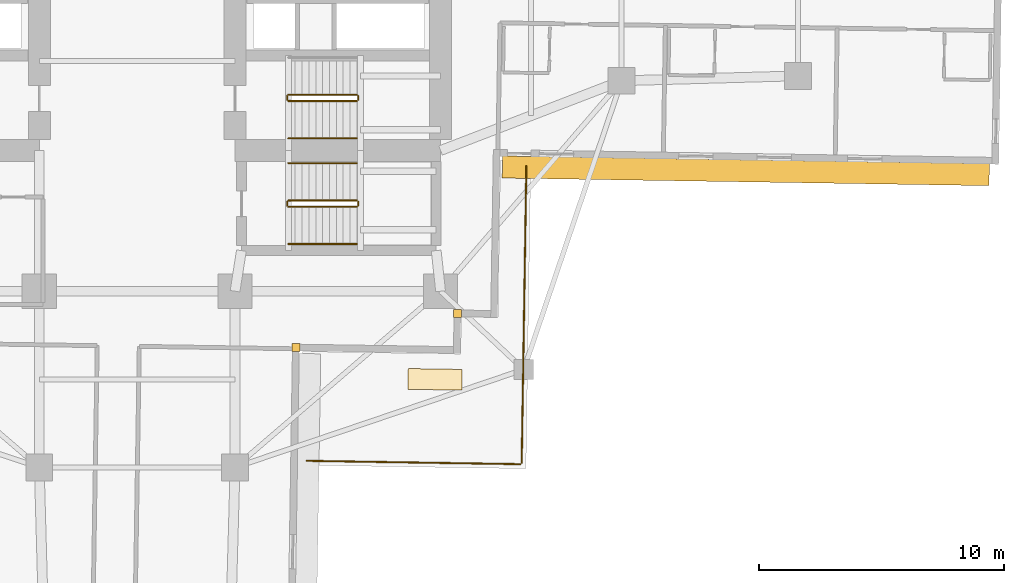
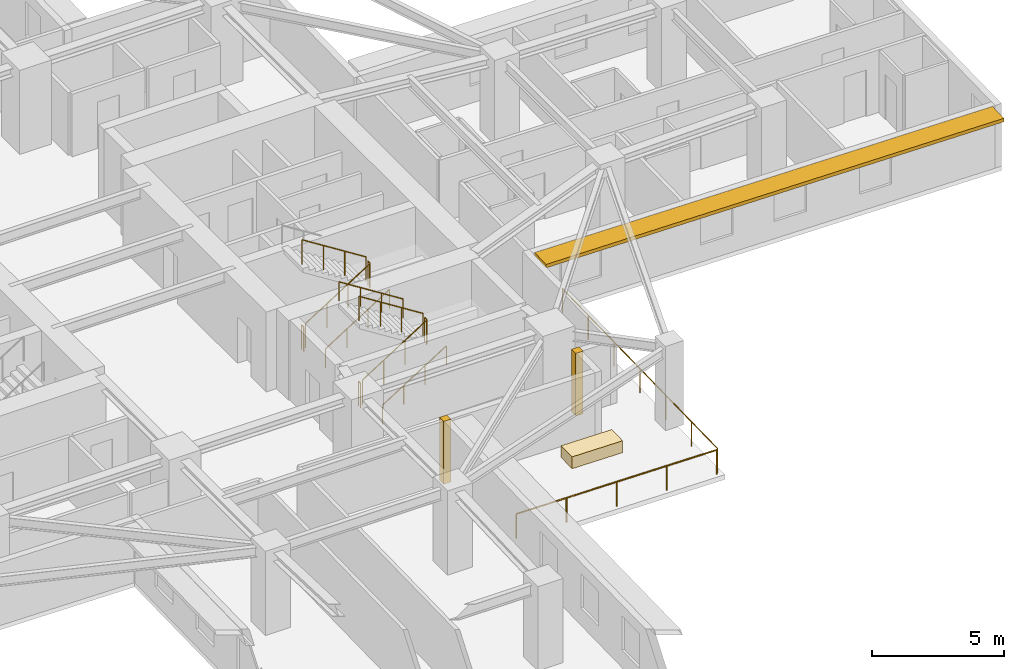
# One storey, part 11 of 13: 13 railings, 3 coverings, 1 shading device.
"""IFC4 building model written with IfcOpenShell, lengths in metres."""

import ifcopenshell
import ifcopenshell.guid

model = None  # the IFC model being written
_history = None  # IfcOwnerHistory: only IFC2X3 demands one
_inside = {}  # id of a spatial element -> (the spatial element, [elements in it])
_under = {}  # id of a project, library or spatial element -> (it, [spatial elements below it])
_declared = {}  # id of a project -> (the project, [libraries it declares])
_typed = {}  # id of a type object -> (the type object, [elements of that type])
_made_of = {}  # id of a material, layer set ... -> (it, [elements and type objects made of it])


def new_model(schema):
    """Start an empty IFC model of exactly this schema.

    Asked for "IFC4X3", IfcOpenShell would pick the latest addendum, in which some entities
    have other attributes; the version numbers below select the first issue.
    IFC2X3 requires an IfcOwnerHistory on every rooted entity: one is made here for all.
    """
    global model, _history
    if schema == "IFC4X3":
        model = ifcopenshell.file(schema_version=(4, 3, 0, 0))
    else:
        model = ifcopenshell.file(schema=schema)
    _inside.clear()
    _under.clear()
    _declared.clear()
    _typed.clear()
    _made_of.clear()
    _history = None
    if model.schema == "IFC2X3":
        org = make("IfcOrganization", Name="unknown")
        user = make(
            "IfcPersonAndOrganization",
            ThePerson=make("IfcPerson", FamilyName="unknown"),
            TheOrganization=org,
        )
        app = make(
            "IfcApplication",
            ApplicationDeveloper=org,
            Version="unknown",
            ApplicationFullName="unknown",
            ApplicationIdentifier="unknown",
        )
        _history = make(
            "IfcOwnerHistory",
            OwningUser=user,
            OwningApplication=app,
            ChangeAction="ADDED",
            CreationDate=0,
        )
    return model


def make(cls, **values):
    """One entity of the class cls with the attributes given. An attribute that is None is left unset."""
    return model.create_entity(
        cls, **{name: value for name, value in values.items() if value is not None}
    )


def rooted(cls, **values):
    """An entity with a GlobalId (a new one), such as an element, a storey or a relation."""
    return make(cls, GlobalId=ifcopenshell.guid.new(), OwnerHistory=_history, **values)


def si_unit(unit_type, name, prefix=None):
    """IfcSIUnit, for example si_unit("LENGTHUNIT", "METRE", prefix="MILLI")."""
    return make("IfcSIUnit", UnitType=unit_type, Prefix=prefix, Name=name)


def assignment(units):
    """IfcUnitAssignment: the units of a project."""
    return None if units is None else make("IfcUnitAssignment", Units=units)


def point(xyz):
    """IfcCartesianPoint."""
    return None if xyz is None else make("IfcCartesianPoint", Coordinates=xyz)


def direction(xyz):
    """IfcDirection."""
    return None if xyz is None else make("IfcDirection", DirectionRatios=xyz)


def frame(location, z_axis=None, x_axis=None):
    """IfcAxis2Placement3D, a coordinate frame: its origin and axes. An axis left out is left unset."""
    return make(
        "IfcAxis2Placement3D",
        Location=point(location),
        Axis=direction(z_axis),
        RefDirection=direction(x_axis),
    )


def frame_2d(location, x_axis=None):
    """IfcAxis2Placement2D, a coordinate frame in the plane: its origin and x axis."""
    return make(
        "IfcAxis2Placement2D", Location=point(location), RefDirection=direction(x_axis)
    )


def origin():
    """The frame at (0, 0, 0) with its axes left unset."""
    return frame((0.0, 0.0, 0.0))


def origin_2d():
    """The frame at (0, 0) in the plane with its x axis left unset."""
    return frame_2d((0.0, 0.0))


def place(relative_to, where):
    """IfcLocalPlacement: puts the frame where relative to a parent placement (None: the world)."""
    return make(
        "IfcLocalPlacement", PlacementRelTo=relative_to, RelativePlacement=where
    )


def context(
    kind, dimensions, precision=None, world=None, true_north=None, identifier=None
):
    """IfcGeometricRepresentationContext, for example the 3D "Model" context."""
    return make(
        "IfcGeometricRepresentationContext",
        ContextIdentifier=identifier,
        ContextType=kind,
        CoordinateSpaceDimension=dimensions,
        Precision=precision,
        WorldCoordinateSystem=world,
        TrueNorth=true_north,
    )


def subcontext(parent, identifier, kind, view, scale=None):
    """IfcGeometricRepresentationSubContext, for example "Body" below "Model"."""
    return make(
        "IfcGeometricRepresentationSubContext",
        ContextIdentifier=identifier,
        ContextType=kind,
        ParentContext=parent,
        TargetScale=scale,
        TargetView=view,
    )


def project(units=None, contexts=None):
    """IfcProject with its units and contexts."""
    return rooted(
        "IfcProject",
        Name="project",
        RepresentationContexts=contexts,
        UnitsInContext=assignment(units),
    )


def spatial(cls, under=None, at=None, **own):
    """A site, building, storey or space (cls), placed at a placement, below another one or the project."""
    s = rooted(cls, ObjectPlacement=at, **own)
    if under is not None:
        _under.setdefault(under.id(), (under, []))[1].append(s)
    return s


def profile(cls, at=None, kind="AREA", **sizes):
    """A parametric profile (cls). Its sizes go by their IFC names, for example OverallWidth=200.0."""
    return make(cls, ProfileType=kind, Position=at, **sizes)


def rectangle(**sizes):
    """IfcRectangleProfileDef."""
    return profile("IfcRectangleProfileDef", **sizes)


def circle(**sizes):
    """IfcCircleProfileDef."""
    return profile("IfcCircleProfileDef", **sizes)


def extrude(swept, where, along, depth):
    """IfcExtrudedAreaSolid: the profile swept, set in the frame where, extruded along a direction by depth."""
    return make(
        "IfcExtrudedAreaSolid",
        SweptArea=swept,
        Position=where,
        ExtrudedDirection=direction(along),
        Depth=depth,
    )


def shape(context_of_items, identifier, shape_type, items):
    """IfcShapeRepresentation: the items that make up one representation, for example the "Body"."""
    return make(
        "IfcShapeRepresentation",
        ContextOfItems=context_of_items,
        RepresentationIdentifier=identifier,
        RepresentationType=shape_type,
        Items=items,
    )


def material(Name=None, Category=None):
    """IfcMaterial."""
    return make("IfcMaterial", Name=Name, Category=Category)


def layer(
    of_material, thickness, ventilated=None, Name=None, Category=None, Priority=None
):
    """IfcMaterialLayer: one layer of a wall or slab, of a material (None: an air gap)."""
    return make(
        "IfcMaterialLayer",
        Material=of_material,
        LayerThickness=thickness,
        IsVentilated=ventilated,
        Name=Name,
        Category=Category,
        Priority=Priority,
    )


def layer_set(layers, Name=None):
    """IfcMaterialLayerSet."""
    return make("IfcMaterialLayerSet", MaterialLayers=layers, LayerSetName=Name)


def made_of(thing, what):
    """Note that an element or type object is made of a material, layer set ...; save() writes the relation."""
    if what is not None:
        _made_of.setdefault(what.id(), (what, []))[1].append(thing)
    return thing


def type_object(cls, material=None, **own):
    """A type object (cls), such as IfcWallType, which elements share."""
    return made_of(rooted(cls, **own), material)


def element(
    cls,
    number,
    at=None,
    inside=None,
    cuts=None,
    type_object=None,
    material=None,
    context=None,
    identifier="Body",
    shape_type=None,
    held_by="IfcProductDefinitionShape",
    body=None,
    shapes=None,
    **own,
):
    """One element of the class cls, such as IfcWall. Its Tag is "e" and its number.

    at: its placement. inside: the storey or other place that contains it. cuts: it is an
    opening in that element (IfcRelVoidsElement). A single representation is given by context,
    identifier, shape_type and body (its items); several are given by shapes. held_by: the class
    of the entity that holds the representations. save() writes the other relations.
    """
    e = rooted(cls, Tag="e%d" % number, ObjectPlacement=at, **own)
    if body is not None:
        shapes = [shape(context, identifier, shape_type, body)]
    if shapes is not None:
        e.Representation = make(held_by, Representations=shapes)
    if inside is not None:
        _inside.setdefault(inside.id(), (inside, []))[1].append(e)
    if cuts is not None:
        rooted(
            "IfcRelVoidsElement", RelatingBuildingElement=cuts, RelatedOpeningElement=e
        )
    if type_object is not None:
        _typed.setdefault(type_object.id(), (type_object, []))[1].append(e)
    return made_of(e, material)


def aggregate(whole, parts):
    """IfcRelAggregates: a whole, such as a stair, and the parts it consists of."""
    return rooted("IfcRelAggregates", RelatingObject=whole, RelatedObjects=parts)


def save(model, path):
    """Write the relations noted so far, then the file.

    IfcRelAggregates (storeys below a building ...), IfcRelContainedInSpatialStructure (elements
    in a storey), IfcRelDefinesByType, IfcRelAssociatesMaterial and IfcRelDeclares: one each for
    every whole, place, type object, material and project.
    """
    for whole, parts in _under.values():
        aggregate(whole, parts)
    for where, things in _inside.values():
        rooted(
            "IfcRelContainedInSpatialStructure",
            RelatedElements=things,
            RelatingStructure=where,
        )
    for kind, things in _typed.values():
        rooted("IfcRelDefinesByType", RelatedObjects=things, RelatingType=kind)
    for what, things in _made_of.values():
        rooted("IfcRelAssociatesMaterial", RelatedObjects=things, RelatingMaterial=what)
    for by, libraries in _declared.values():
        rooted("IfcRelDeclares", RelatingContext=by, RelatedDefinitions=libraries)
    model.write(path)


model = new_model("IFC4")

# Units and contexts
model_context = context("Model", 3, precision=1e-05, world=origin(), true_north=direction((0.0, 1.0)))
body_context = subcontext(model_context, "Body", "Model", "MODEL_VIEW")
ifc_project = project(units=[si_unit("LENGTHUNIT", "METRE"), si_unit("AREAUNIT", "SQUARE_METRE"), si_unit("VOLUMEUNIT", "CUBIC_METRE"), si_unit("PLANEANGLEUNIT", "RADIAN"), si_unit("MASSUNIT", "GRAM", prefix="KILO")], contexts=[model_context])

# Site, building, storey
site_placement = place(None, origin())
site = spatial("IfcSite", under=ifc_project, at=site_placement, CompositionType="ELEMENT")
building_placement = place(site_placement, origin())
building = spatial("IfcBuilding", under=site, at=building_placement, Name="Qingluan Cross Belvedere", CompositionType="ELEMENT")
storey_placement = place(building_placement, frame((0.0, 0.0, 67.800048828125)))
storey = spatial("IfcBuildingStorey", under=building, at=storey_placement, Name="L17", CompositionType="ELEMENT", Elevation=67.800048828125)

# Coverings
ifc_material_1 = material(Name="Precast concrete C45", Category="concrete")
ifc_layer_1 = layer(ifc_material_1, 0.1201171875, Name="ConcreteSpandrelCladding_120")
ifc_layer_set_1 = layer_set([ifc_layer_1], Name="Precast concrete C45")
covering_type_1 = type_object("IfcCoveringType", Name="ConcreteSpandrelCladding_120", PredefinedType="CLADDING", material=ifc_layer_set_1)
for number, where, z_axis, x_axis, name in (
    (1, (13.089599609375, -13.50732421875, 0.0), (0.0, 0.0, 1.0), (0.999876632482, -0.015707317312, 0.0), "Corner closure L17-SE1"),
    (2, (6.48681640625, -14.90380859375, 0.0), (0.0, 0.0, 1.0), (0.999876632482, -0.015707317312, 0.0), "Corner closure L17-SE2"),
):
    element("IfcCovering", number, at=place(storey_placement, frame(where, z_axis=z_axis, x_axis=x_axis)), inside=storey, type_object=covering_type_1, Name=name, PredefinedType="CLADDING", context=body_context, shape_type="SweptSolid", body=[
        extrude(rectangle(XDim=0.320068359375, YDim=0.320068359375, at=origin_2d()), origin(), (0.0, 0.0, 1.0), 2.909912109375),
    ])

# Shading device
ifc_material_2 = material(Name="Precast concrete C45", Category="concrete")
ifc_layer_2 = layer(ifc_material_2, 0.159912109375, Name="ConcreteSunshadeBand_900")
ifc_layer_set_2 = layer_set([ifc_layer_2], Name="Precast concrete C45")
shading_device_type = type_object("IfcShadingDeviceType", Name="ConcreteSunshadeBand_900", PredefinedType="USERDEFINED", material=ifc_layer_set_2)
shading_device_placement = place(storey_placement, frame((24.872314453125, -7.681640625, 2.72998046875), z_axis=(0.0, 0.0, 1.0), x_axis=(0.999876567432, -0.015711457647, 0.0)))
element("IfcShadingDevice", 3, at=shading_device_placement, inside=storey, type_object=shading_device_type, Name="Concrete SUNSHADE L17-EA", ObjectType="SUNSHADE", PredefinedType="USERDEFINED", context=body_context, shape_type="SweptSolid", body=[
    extrude(rectangle(XDim=19.89990234375, YDim=0.89990234375, at=origin_2d()), origin(), (0.0, 0.0, 1.0), 0.159912109375),
])

# Railings
ifc_material_3 = material(Name="Brushed stainless steel tubular handrail", Category="steel")
railing_type_1 = type_object("IfcRailingType", Name="StairPitchHandrail_900", PredefinedType="HANDRAIL", material=ifc_material_3)
for number, where, name in (
    (4, (6.179931640625, -6.35009765625, 0.17724609375), "L17 ST2 stair handrail 1"),
    (5, (6.179931640625, -10.669921875, 0.17724609375), "L17 ST4 stair handrail 1"),
):
    element("IfcRailing", number, at=place(storey_placement, frame(where)), inside=storey, type_object=railing_type_1, Name=name, PredefinedType="HANDRAIL", context=body_context, shape_type="SweptSolid", body=[
        extrude(circle(Radius=0.02392578125, at=origin_2d()), frame((0.0, 0.0, 0.8759765625), z_axis=(0.844908973607, 0.0, 0.534910110503), x_axis=(0.0, 1.0, 0.0)), (0.0, 0.0, 1.0), 3.31396484375),
        extrude(circle(Radius=0.02099609375, at=origin_2d()), origin(), (0.0, 0.0, 1.0), 0.851806640625),
        extrude(circle(Radius=0.02099609375, at=origin_2d()), frame((0.933349609375, 0.0, 0.5908203125)), (0.0, 0.0, 1.0), 0.851806640625),
        extrude(circle(Radius=0.02099609375, at=origin_2d()), frame((1.86669921875, 0.0, 1.181884765625)), (0.0, 0.0, 1.0), 0.851806640625),
        extrude(circle(Radius=0.02099609375, at=origin_2d()), frame((2.800048828125, 0.0, 1.772705078125)), (0.0, 0.0, 1.0), 0.851806640625),
    ])
railing_1_placement = place(storey_placement, frame((8.97998046875, -7.3701171875, 2.127197265625)))
element("IfcRailing", 6, at=railing_1_placement, inside=storey, type_object=railing_type_1, Name="L17 ST4 stair handrail 2", PredefinedType="HANDRAIL", context=body_context, shape_type="SweptSolid", body=[
    extrude(circle(Radius=0.02392578125, at=origin_2d()), frame((0.0, 0.0, 0.8759765625), z_axis=(-0.844908973607, 0.0, 0.534910110503), x_axis=(0.0, -1.0, 0.0)), (0.0, 0.0, 1.0), 3.31396484375),
    extrude(circle(Radius=0.02099609375, at=origin_2d()), origin(), (0.0, 0.0, 1.0), 0.851806640625),
    extrude(circle(Radius=0.02099609375, at=origin_2d()), frame((-0.933349609375, 0.0, 0.5908203125)), (0.0, 0.0, 1.0), 0.851806640625),
    extrude(circle(Radius=0.02099609375, at=origin_2d()), frame((-1.86669921875, 0.0, 1.181884765625)), (0.0, 0.0, 1.0), 0.851806640625),
    extrude(circle(Radius=0.02099609375, at=origin_2d()), frame((-2.800048828125, 0.0, 1.772705078125)), (0.0, 0.0, 1.0), 0.851806640625),
])
ifc_material_4 = material(Name="Painted steel stair well guard", Category="steel")
railing_type_2 = type_object("IfcRailingType", Name="StairWellGuard_1150", PredefinedType="BALUSTRADE", material=ifc_material_4)
railing_2_placement = place(storey_placement, frame((6.179931640625, -4.830078125, 0.17724609375)))
element("IfcRailing", 7, at=railing_2_placement, inside=storey, type_object=railing_type_2, Name="L17 ST2 stair guard 1", PredefinedType="BALUSTRADE", context=body_context, shape_type="SweptSolid", body=[
    extrude(circle(Radius=0.02392578125, at=origin_2d()), frame((0.0, 0.0, 1.1259765625), z_axis=(0.844908973607, 0.0, 0.534910110503), x_axis=(0.0, 1.0, 0.0)), (0.0, 0.0, 1.0), 3.31396484375),
    extrude(circle(Radius=0.02099609375, at=origin_2d()), origin(), (0.0, 0.0, 1.0), 1.101806640625),
    extrude(circle(Radius=0.02099609375, at=origin_2d()), frame((0.933349609375, 0.0, 0.5908203125)), (0.0, 0.0, 1.0), 1.101806640625),
    extrude(circle(Radius=0.02099609375, at=origin_2d()), frame((1.86669921875, 0.0, 1.181884765625)), (0.0, 0.0, 1.0), 1.101806640625),
    extrude(circle(Radius=0.02099609375, at=origin_2d()), frame((2.800048828125, 0.0, 1.772705078125)), (0.0, 0.0, 1.0), 1.101806640625),
])
railing_3_placement = place(storey_placement, frame((9.030029296875, -4.780029296875, 1.949951171875)))
element("IfcRailing", 8, at=railing_3_placement, inside=storey, type_object=railing_type_2, Name="L17 ST2 stair guard 2", PredefinedType="BALUSTRADE", context=body_context, shape_type="SweptSolid", body=[
    extrude(circle(Radius=0.02392578125, at=origin_2d()), frame((0.0, 0.0, 1.1259765625), z_axis=(0.0, 1.0, 0.0), x_axis=(-1.0, 0.0, 0.0)), (0.0, 0.0, 1.0), 0.159912109375),
    extrude(circle(Radius=0.02099609375, at=origin_2d()), origin(), (0.0, 0.0, 1.0), 1.101806640625),
    extrude(circle(Radius=0.02099609375, at=origin_2d()), frame((0.0, 0.159912109375, 0.0)), (0.0, 0.0, 1.0), 1.101806640625),
])
railing_4_placement = place(storey_placement, frame((8.97998046875, -4.570068359375, 2.127197265625)))
element("IfcRailing", 9, at=railing_4_placement, inside=storey, type_object=railing_type_2, Name="L17 ST2 stair guard 3", PredefinedType="BALUSTRADE", context=body_context, shape_type="SweptSolid", body=[
    extrude(circle(Radius=0.02392578125, at=origin_2d()), frame((0.0, 0.0, 1.1259765625), z_axis=(-0.844908973607, 0.0, 0.534910110503), x_axis=(0.0, -1.0, 0.0)), (0.0, 0.0, 1.0), 3.31396484375),
    extrude(circle(Radius=0.02099609375, at=origin_2d()), origin(), (0.0, 0.0, 1.0), 1.101806640625),
    extrude(circle(Radius=0.02099609375, at=origin_2d()), frame((-0.933349609375, 0.0, 0.5908203125)), (0.0, 0.0, 1.0), 1.101806640625),
    extrude(circle(Radius=0.02099609375, at=origin_2d()), frame((-1.86669921875, 0.0, 1.181884765625)), (0.0, 0.0, 1.0), 1.101806640625),
    extrude(circle(Radius=0.02099609375, at=origin_2d()), frame((-2.800048828125, 0.0, 1.772705078125)), (0.0, 0.0, 1.0), 1.101806640625),
])
railing_5_placement = place(storey_placement, frame((6.1298828125, -4.780029296875, 0.0)))
element("IfcRailing", 10, at=railing_5_placement, inside=storey, type_object=railing_type_2, Name="L17 ST2 stair guard 4", PredefinedType="BALUSTRADE", context=body_context, shape_type="SweptSolid", body=[
    extrude(circle(Radius=0.02392578125, at=origin_2d()), frame((0.0, 0.0, 1.1259765625), z_axis=(0.0, 1.0, 0.0), x_axis=(-1.0, 0.0, 0.0)), (0.0, 0.0, 1.0), 0.159912109375),
    extrude(circle(Radius=0.02099609375, at=origin_2d()), origin(), (0.0, 0.0, 1.0), 1.101806640625),
    extrude(circle(Radius=0.02099609375, at=origin_2d()), frame((0.0, 0.159912109375, 0.0)), (0.0, 0.0, 1.0), 1.101806640625),
])
railing_6_placement = place(storey_placement, frame((6.179931640625, -9.14990234375, 0.17724609375)))
element("IfcRailing", 11, at=railing_6_placement, inside=storey, type_object=railing_type_2, Name="L17 ST4 stair guard 1", PredefinedType="BALUSTRADE", context=body_context, shape_type="SweptSolid", body=[
    extrude(circle(Radius=0.02392578125, at=origin_2d()), frame((0.0, 0.0, 1.1259765625), z_axis=(0.844908973607, 0.0, 0.534910110503), x_axis=(0.0, 1.0, 0.0)), (0.0, 0.0, 1.0), 3.31396484375),
    extrude(circle(Radius=0.02099609375, at=origin_2d()), origin(), (0.0, 0.0, 1.0), 1.101806640625),
    extrude(circle(Radius=0.02099609375, at=origin_2d()), frame((0.933349609375, 0.0, 0.5908203125)), (0.0, 0.0, 1.0), 1.101806640625),
    extrude(circle(Radius=0.02099609375, at=origin_2d()), frame((1.86669921875, 0.0, 1.181884765625)), (0.0, 0.0, 1.0), 1.101806640625),
    extrude(circle(Radius=0.02099609375, at=origin_2d()), frame((2.800048828125, 0.0, 1.772705078125)), (0.0, 0.0, 1.0), 1.101806640625),
])
railing_7_placement = place(storey_placement, frame((9.030029296875, -9.10009765625, 1.949951171875)))
element("IfcRailing", 12, at=railing_7_placement, inside=storey, type_object=railing_type_2, Name="L17 ST4 stair guard 2", PredefinedType="BALUSTRADE", context=body_context, shape_type="SweptSolid", body=[
    extrude(circle(Radius=0.02392578125, at=origin_2d()), frame((0.0, 0.0, 1.1259765625), z_axis=(0.0, 1.0, 0.0), x_axis=(-1.0, 0.0, 0.0)), (0.0, 0.0, 1.0), 0.16015625),
    extrude(circle(Radius=0.02099609375, at=origin_2d()), origin(), (0.0, 0.0, 1.0), 1.101806640625),
    extrude(circle(Radius=0.02099609375, at=origin_2d()), frame((0.0, 0.16015625, 0.0)), (0.0, 0.0, 1.0), 1.101806640625),
])
railing_8_placement = place(storey_placement, frame((8.97998046875, -8.889892578125, 2.127197265625)))
element("IfcRailing", 13, at=railing_8_placement, inside=storey, type_object=railing_type_2, Name="L17 ST4 stair guard 3", PredefinedType="BALUSTRADE", context=body_context, shape_type="SweptSolid", body=[
    extrude(circle(Radius=0.02392578125, at=origin_2d()), frame((0.0, 0.0, 1.1259765625), z_axis=(-0.844908973607, 0.0, 0.534910110503), x_axis=(0.0, -1.0, 0.0)), (0.0, 0.0, 1.0), 3.31396484375),
    extrude(circle(Radius=0.02099609375, at=origin_2d()), origin(), (0.0, 0.0, 1.0), 1.101806640625),
    extrude(circle(Radius=0.02099609375, at=origin_2d()), frame((-0.933349609375, 0.0, 0.5908203125)), (0.0, 0.0, 1.0), 1.101806640625),
    extrude(circle(Radius=0.02099609375, at=origin_2d()), frame((-1.86669921875, 0.0, 1.181884765625)), (0.0, 0.0, 1.0), 1.101806640625),
    extrude(circle(Radius=0.02099609375, at=origin_2d()), frame((-2.800048828125, 0.0, 1.772705078125)), (0.0, 0.0, 1.0), 1.101806640625),
])
railing_9_placement = place(storey_placement, frame((6.1298828125, -9.10009765625, 0.0)))
element("IfcRailing", 14, at=railing_9_placement, inside=storey, type_object=railing_type_2, Name="L17 ST4 stair guard 4", PredefinedType="BALUSTRADE", context=body_context, shape_type="SweptSolid", body=[
    extrude(circle(Radius=0.02392578125, at=origin_2d()), frame((0.0, 0.0, 1.1259765625), z_axis=(0.0, 1.0, 0.0), x_axis=(-1.0, 0.0, 0.0)), (0.0, 0.0, 1.0), 0.16015625),
    extrude(circle(Radius=0.02099609375, at=origin_2d()), origin(), (0.0, 0.0, 1.0), 1.101806640625),
    extrude(circle(Radius=0.02099609375, at=origin_2d()), frame((0.0, 0.16015625, 0.0)), (0.0, 0.0, 1.0), 1.101806640625),
])
ifc_material_5 = material(Name="Laminated glass and stainless steel balustrade", Category="steel")
railing_type_3 = type_object("IfcRailingType", Name="TerraceGuardBalustrade_1150", PredefinedType="BALUSTRADE", material=ifc_material_5)
railing_10_placement = place(storey_placement, frame((15.904296875, -7.49072265625, 0.0)))
element("IfcRailing", 15, at=railing_10_placement, inside=storey, type_object=railing_type_3, Name="Terrace guard L17-1", PredefinedType="BALUSTRADE", context=body_context, shape_type="SweptSolid", body=[
    extrude(circle(Radius=0.02392578125, at=origin_2d()), frame((0.0, 0.0, 1.1259765625), z_axis=(-0.015712144452, -0.999876556639, 0.0), x_axis=(0.999876556639, -0.015712144452, 0.0)), (0.0, 0.0, 1.0), 12.119873046875),
    extrude(circle(Radius=0.02099609375, at=origin_2d()), origin(), (0.0, 0.0, 1.0), 1.101806640625),
    extrude(circle(Radius=0.02099609375, at=origin_2d()), frame((-0.03173828125, -2.019775390625, 0.0)), (0.0, 0.0, 1.0), 1.101806640625),
    extrude(circle(Radius=0.02099609375, at=origin_2d()), frame((-0.0634765625, -4.03955078125, 0.0)), (0.0, 0.0, 1.0), 1.101806640625),
    extrude(circle(Radius=0.02099609375, at=origin_2d()), frame((-0.09521484375, -6.05908203125, 0.0)), (0.0, 0.0, 1.0), 1.101806640625),
    extrude(circle(Radius=0.02099609375, at=origin_2d()), frame((-0.126953125, -8.078857421875, 0.0)), (0.0, 0.0, 1.0), 1.101806640625),
    extrude(circle(Radius=0.02099609375, at=origin_2d()), frame((-0.15869140625, -10.0986328125, 0.0)), (0.0, 0.0, 1.0), 1.101806640625),
    extrude(circle(Radius=0.02099609375, at=origin_2d()), frame((-0.1904296875, -12.118408203125, 0.0)), (0.0, 0.0, 1.0), 1.101806640625),
])
railing_11_placement = place(storey_placement, frame((15.653076171875, -19.668212890625, 0.0)))
element("IfcRailing", 16, at=railing_11_placement, inside=storey, type_object=railing_type_3, Name="Terrace guard L17-2", PredefinedType="BALUSTRADE", context=body_context, shape_type="SweptSolid", body=[
    extrude(circle(Radius=0.02392578125, at=origin_2d()), frame((0.0, 0.0, 1.1259765625), z_axis=(-0.999876643314, 0.015706627752, 0.0), x_axis=(-0.015706627752, -0.999876643314, 0.0)), (0.0, 0.0, 1.0), 8.719970703125),
    extrude(circle(Radius=0.02099609375, at=origin_2d()), origin(), (0.0, 0.0, 1.0), 1.101806640625),
    extrude(circle(Radius=0.02099609375, at=origin_2d()), frame((-2.1796875, 0.0341796875, 0.0)), (0.0, 0.0, 1.0), 1.101806640625),
    extrude(circle(Radius=0.02099609375, at=origin_2d()), frame((-4.359375, 0.068359375, 0.0)), (0.0, 0.0, 1.0), 1.101806640625),
    extrude(circle(Radius=0.02099609375, at=origin_2d()), frame((-6.539306640625, 0.102783203125, 0.0)), (0.0, 0.0, 1.0), 1.101806640625),
    extrude(circle(Radius=0.02099609375, at=origin_2d()), frame((-8.718994140625, 0.136962890625, 0.0)), (0.0, 0.0, 1.0), 1.101806640625),
])

# Covering
ifc_material_6 = material(Name="Precast concrete C40", Category="concrete")
ifc_layer_3 = layer(ifc_material_6, 0.550048828125, Name="TerracePlanterBox")
ifc_layer_set_3 = layer_set([ifc_layer_3], Name="Precast concrete C40")
covering_type_2 = type_object("IfcCoveringType", Name="TerracePlanterBox", PredefinedType="USERDEFINED", material=ifc_layer_set_3)
covering_placement = place(storey_placement, frame((12.172119140625, -16.202880859375, 0.0), z_axis=(0.0, 0.0, 1.0), x_axis=(0.999876632482, -0.015707317312, 0.0)))
element("IfcCovering", 17, at=covering_placement, inside=storey, type_object=covering_type_2, Name="Spiralling winter-garden planter L17", ObjectType="PLANTER", PredefinedType="USERDEFINED", context=body_context, shape_type="SweptSolid", body=[
    extrude(rectangle(XDim=2.199951171875, YDim=0.85009765625, at=origin_2d()), origin(), (0.0, 0.0, 1.0), 0.550048828125),
])

save(model, "model.ifc")
